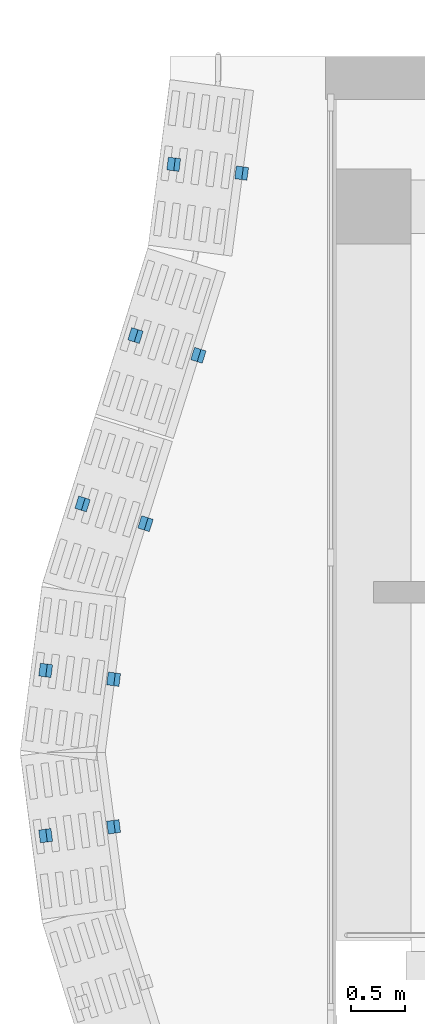
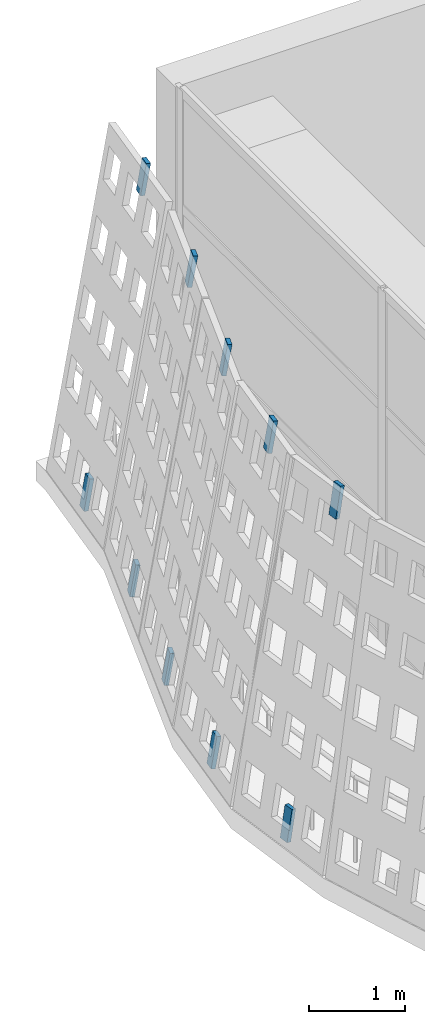
# One storey, part 106 of 162: 10 discrete accessories.
"""IFC4 building model written with IfcOpenShell, lengths in metres."""

from ifc_helpers import new_model, si_unit, direction, frame, origin, origin_2d, place, context, subcontext, project, spatial, rectangle, extrude, material, material_profile, profile_set, type_object, element, save


model = new_model("IFC4")

# Units and contexts
model_context = context("Model", 3, precision=1e-05, world=origin(), true_north=direction((0.0, 1.0)))
body_context = subcontext(model_context, "Body", "Model", "MODEL_VIEW")
ifc_project = project(units=[si_unit("LENGTHUNIT", "METRE"), si_unit("AREAUNIT", "SQUARE_METRE"), si_unit("VOLUMEUNIT", "CUBIC_METRE"), si_unit("PLANEANGLEUNIT", "RADIAN"), si_unit("MASSUNIT", "GRAM", prefix="KILO")], contexts=[model_context])

# Site, building, storey
site_placement = place(None, origin())
site = spatial("IfcSite", under=ifc_project, at=site_placement, CompositionType="ELEMENT")
building_placement = place(site_placement, origin())
building = spatial("IfcBuilding", under=site, at=building_placement, Name="Rain Tree Exposition and Congress Centre", CompositionType="ELEMENT")
storey_placement = place(building_placement, frame((0.0, 0.0, 6.0)))
storey = spatial("IfcBuildingStorey", under=building, at=storey_placement, Name="L01", CompositionType="ELEMENT", Elevation=6.0)

# Discrete accessories
ifc_material = material(Name="Steel S355J2", Category="steel")
ifc_material_profile = material_profile(ifc_material, rectangle(XDim=0.1201171875, YDim=0.050048828125, at=origin_2d()), Name="Flat bar 120x50")
ifc_profile_set = profile_set([ifc_material_profile], Name="Steel S355J2")
discrete_accessory_type = type_object("IfcDiscreteAccessoryType", Name="Screen bracket 120x50", PredefinedType="BRACKET", material=ifc_profile_set)
for number, where, z_axis, x_axis, name in (
    (1, (-1.26416015625, 99.91650390625, 3.851318359375), (0.162381270396, -0.021365956631, 0.986496740452), (0.130454512571, 0.991454295543, 0.0), "concourse/bracket/L01/1921t"),
    (2, (-1.898681640625, 99.998779296875, 0.004150390625), (0.162977636468, -0.020753706516, 0.986411462665), (0.12632075382, 0.991989449114, 0.0), "concourse/bracket/L01/1921b"),
):
    element("IfcDiscreteAccessory", number, at=place(storey_placement, frame(where, z_axis=z_axis, x_axis=x_axis)), inside=storey, type_object=discrete_accessory_type, Name=name, PredefinedType="BRACKET", context=body_context, shape_type="SweptSolid", body=[
        extrude(rectangle(XDim=0.1201171875, YDim=0.050048828125, at=origin_2d()), origin(), (0.0, 0.0, 1.0), 0.39990234375),
    ])
for number, where, z_axis, x_axis, name in (
    (3, (-1.66552734375, 98.221435546875, 3.85107421875), (0.150742588713, -0.04699262887, 0.987455500152), (0.297614686764, 0.954686073127, 0.0), "concourse/bracket/L01/1931t"),
    (4, (-2.252685546875, 98.406005859375, 0.00390625), (0.150742588713, -0.04699262887, 0.987455500152), (0.297614686764, 0.954686073127, 0.0), "concourse/bracket/L01/1931b"),
    (5, (-2.159423828125, 96.64990234375, 3.85107421875), (0.150738237635, -0.047601548727, 0.987426997946), (0.301131367937, 0.953582665134, 0.0), "concourse/bracket/L01/1941t"),
    (6, (-2.74658203125, 96.83447265625, 0.00390625), (0.150738237635, -0.047601548727, 0.987426997946), (0.301131367937, 0.953582665134, 0.0), "concourse/bracket/L01/1941b"),
):
    element("IfcDiscreteAccessory", number, at=place(storey_placement, frame(where, z_axis=z_axis, x_axis=x_axis)), inside=storey, type_object=discrete_accessory_type, Name=name, PredefinedType="BRACKET", context=body_context, shape_type="SweptSolid", body=[
        extrude(rectangle(XDim=0.1201171875, YDim=0.050048828125, at=origin_2d()), origin(), (0.0, 0.0, 1.0), 0.400146484375),
    ])
for number, where, z_axis, x_axis, name in (
    (7, (-2.458984375, 95.193115234375, 3.851318359375), (0.162975541524, -0.021363835031, 0.986398783159), (0.129974188098, 0.991517377774, 0.0), "concourse/bracket/L01/1951t"),
    (8, (-3.093505859375, 95.275634765625, 0.004150390625), (0.162975541524, -0.021363835031, 0.986398783159), (0.129974188098, 0.991517377774, 0.0), "concourse/bracket/L01/1951b"),
    (9, (-2.458984375, 93.806884765625, 3.851318359375), (0.162975541524, 0.021363835031, 0.986398783159), (-0.129974188098, 0.991517377774, 0.0), "concourse/bracket/L01/1961t"),
    (10, (-3.093505859375, 93.724365234375, 0.004150390625), (0.162975541524, 0.021363835031, 0.986398783159), (-0.129974188098, 0.991517377774, 0.0), "concourse/bracket/L01/1961b"),
):
    element("IfcDiscreteAccessory", number, at=place(storey_placement, frame(where, z_axis=z_axis, x_axis=x_axis)), inside=storey, type_object=discrete_accessory_type, Name=name, PredefinedType="BRACKET", context=body_context, shape_type="SweptSolid", body=[
        extrude(rectangle(XDim=0.1201171875, YDim=0.050048828125, at=origin_2d()), origin(), (0.0, 0.0, 1.0), 0.39990234375),
    ])

save(model, "model.ifc")
